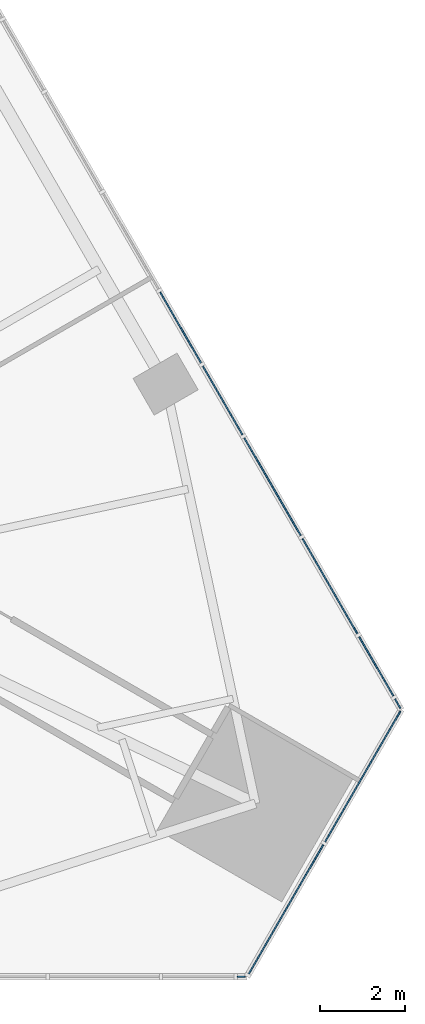
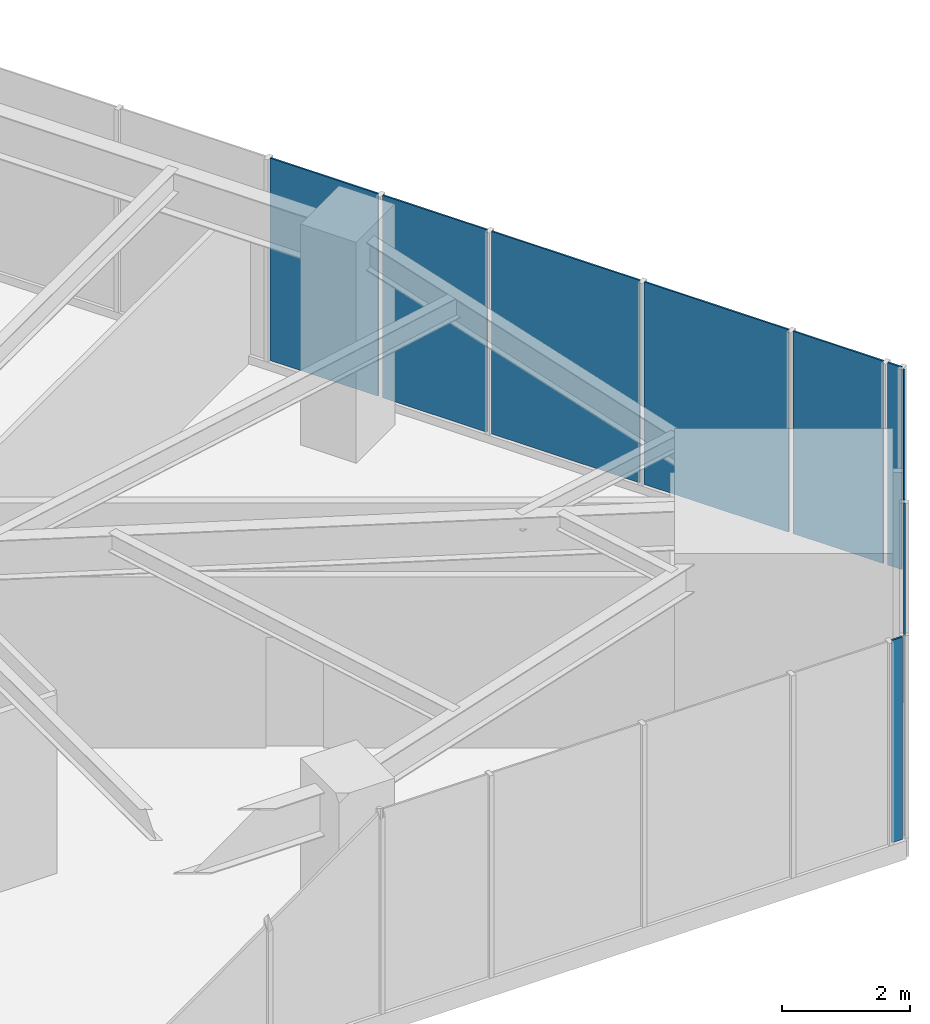
# One storey, part 13 of 21: 9 plates, 3 elements without a shape of their own.
"""IFC4 building model written with IfcOpenShell, lengths in metres."""

from ifc_helpers import new_model, si_unit, direction, frame, origin, place, context, subcontext, project, spatial, polyline, outline, extrude, material, layer, layer_set, type_object, element, aggregate, save


model = new_model("IFC4")

# Units and contexts
model_context = context("Model", 3, precision=1e-05, world=origin(), true_north=direction((0.0, 1.0)))
body_context = subcontext(model_context, "Body", "Model", "MODEL_VIEW")
ifc_project = project(units=[si_unit("LENGTHUNIT", "METRE"), si_unit("AREAUNIT", "SQUARE_METRE"), si_unit("VOLUMEUNIT", "CUBIC_METRE"), si_unit("PLANEANGLEUNIT", "RADIAN"), si_unit("MASSUNIT", "GRAM", prefix="KILO")], contexts=[model_context])

# Site, building, storey
site_placement = place(None, origin())
site = spatial("IfcSite", under=ifc_project, at=site_placement, CompositionType="ELEMENT")
building_placement = place(site_placement, origin())
building = spatial("IfcBuilding", under=site, at=building_placement, Name="Firuza Gate Tower and Library", CompositionType="ELEMENT")
storey_placement = place(building_placement, frame((0.0, 0.0, 94.60009765625)))
storey = spatial("IfcBuildingStorey", under=building, at=storey_placement, Name="L21", CompositionType="ELEMENT", Elevation=94.60009765625)

# Curtain wall, plates
ifc_material_1 = material(Name="Aluminium 6063-T6", Category="aluminium")
ifc_layer_1 = layer(ifc_material_1, 0.14990234375)
ifc_layer_set_1 = layer_set([ifc_layer_1], Name="Corner curtain wall, chamfers")
curtain_wall_type_1 = type_object("IfcCurtainWallType", Name="Corner curtain wall, chamfers", PredefinedType="NOTDEFINED", material=ifc_layer_set_1)
placement = place(storey_placement, origin())
curtain_wall_1 = element("IfcCurtainWall", 1, at=placement, inside=storey, type_object=curtain_wall_type_1, Name="CW4 L21 SE corner", PredefinedType="NOTDEFINED")
ifc_material_2 = material(Name="Fritted glass", Category="glass")
ifc_layer_2 = layer(ifc_material_2, 0.030029296875)
ifc_layer_set_2 = layer_set([ifc_layer_2], Name="Fritted glass unit, corners")
plate_type_1 = type_object("IfcPlateType", Name="Fritted glass unit, corners", PredefinedType="CURTAIN_PANEL", material=ifc_layer_set_2)
plate_1_placement = place(storey_placement, frame((103.286376953125, 54.508056640625, 0.14990234375), z_axis=(0.866016723041, -0.500015035186, 0.0), x_axis=(0.500015035186, 0.866016723041, 0.0)))
plate_1 = element("IfcPlate", 2, at=plate_1_placement, type_object=plate_type_1, Name="Glass unit", PredefinedType="CURTAIN_PANEL", context=body_context, shape_type="SweptSolid", body=[
    extrude(outline(polyline([(0.0, 0.0), (3.5633694106530625, 0.0), (3.5633694106530625, 3.85009765625), (0.0, 3.85009765625), (0.0, 0.0)])), origin(), (0.0, 0.0, -1.0), 0.030029296875),
])
plate_2_placement = place(storey_placement, frame((105.108154296875, 57.663330078125, 0.14990234375), z_axis=(0.866046390552, -0.49996364809, 0.0), x_axis=(0.49996364809, 0.866046390552, 0.0)))
plate_2 = element("IfcPlate", 3, at=plate_2_placement, type_object=plate_type_1, Name="Glass unit", PredefinedType="CURTAIN_PANEL", context=body_context, shape_type="SweptSolid", body=[
    extrude(outline(polyline([(0.0, 0.0), (3.563247342942594, 0.0), (3.563247342942594, 3.85009765625), (0.0, 3.85009765625), (0.0, 0.0)])), origin(), (0.0, 0.0, -1.0), 0.030029296875),
])
aggregate(curtain_wall_1, [plate_1, plate_2])

ifc_material_3 = material(Name="Aluminium 6063-T6", Category="aluminium")
ifc_layer_3 = layer(ifc_material_3, 0.14990234375)
ifc_layer_set_3 = layer_set([ifc_layer_3], Name="Unitised curtain wall, offices")
curtain_wall_type_2 = type_object("IfcCurtainWallType", Name="Unitised curtain wall, offices", PredefinedType="NOTDEFINED", material=ifc_layer_set_3)
curtain_wall_2 = element("IfcCurtainWall", 4, at=placement, inside=storey, type_object=curtain_wall_type_2, Name="CW1 L21 E face", PredefinedType="NOTDEFINED")
ifc_material_4 = material(Name="Fritted glass", Category="glass")
ifc_layer_4 = layer(ifc_material_4, 0.030029296875)
ifc_layer_set_4 = layer_set([ifc_layer_4], Name="Fritted glass unit, offices")
plate_type_2 = type_object("IfcPlateType", Name="Fritted glass unit, offices", PredefinedType="CURTAIN_PANEL", material=ifc_layer_set_4)
plate_3_placement = place(storey_placement, frame((106.72412109375, 61.120361328125, 0.14990234375), z_axis=(0.866037581745, 0.49997890656, 0.0), x_axis=(-0.49997890656, 0.866037581745, 0.0)))
plate_3 = element("IfcPlate", 5, at=plate_3_placement, type_object=plate_type_2, Name="Glass unit", PredefinedType="CURTAIN_PANEL", context=body_context, shape_type="SweptSolid", body=[
    extrude(outline(polyline([(0.0, 0.0), (1.620673839923284, 0.0), (1.620673839923284, 3.85009765625), (0.0, 3.85009765625), (0.0, 0.0)])), origin(), (0.0, 0.0, -1.0), 0.030029296875),
])
plate_4_placement = place(storey_placement, frame((103.16064453125, 67.292236328125, 0.14990234375), z_axis=(0.866012558475, 0.500022248069, 0.0), x_axis=(-0.500022248069, 0.866012558475, 0.0)))
plate_4 = element("IfcPlate", 6, at=plate_4_placement, type_object=plate_type_2, Name="Glass unit", PredefinedType="CURTAIN_PANEL", context=body_context, shape_type="SweptSolid", body=[
    extrude(outline(polyline([(0.0, 0.0), (1.879799168695176, 0.0), (1.879799168695176, 3.85009765625), (0.0, 3.85009765625), (0.0, 0.0)])), origin(), (0.0, 0.0, -1.0), 0.030029296875),
])
plate_5_placement = place(storey_placement, frame((102.180908203125, 68.989501953125, 0.14990234375), z_axis=(0.865977846834, 0.500082362009, 0.0), x_axis=(-0.500082362009, 0.865977846834, 0.0)))
plate_5 = element("IfcPlate", 7, at=plate_5_placement, type_object=plate_type_2, Name="Glass unit", PredefinedType="CURTAIN_PANEL", context=body_context, shape_type="SweptSolid", body=[
    extrude(outline(polyline([(0.0, 0.0), (1.937669100611521, 0.0), (1.937669100611521, 3.85009765625), (0.0, 3.85009765625), (0.0, 0.0)])), origin(), (0.0, 0.0, -1.0), 0.030029296875),
])

# Curtain wall, plate
curtain_wall_3 = element("IfcCurtainWall", 8, at=placement, inside=storey, type_object=curtain_wall_type_2, Name="CW1 L21 S face", PredefinedType="NOTDEFINED")
ifc_material_5 = material(Name="Glazed ceramic tile")
ifc_layer_5 = layer(ifc_material_5, 0.030029296875)
ifc_layer_set_5 = layer_set([ifc_layer_5], Name="Opaque ceramic panel, offices")
plate_type_3 = type_object("IfcPlateType", Name="Opaque ceramic panel, offices", PredefinedType="CURTAIN_PANEL", material=ifc_layer_set_5)
plate_6_placement = place(storey_placement, frame((103.02734375, 54.466064453125, 0.14990234375), z_axis=(0.0, -1.0, 0.0), x_axis=(1.0, 0.0, 0.0)))
plate_6 = element("IfcPlate", 9, at=plate_6_placement, type_object=plate_type_3, Name="Opaque ceramic panel", PredefinedType="CURTAIN_PANEL", context=body_context, shape_type="SweptSolid", body=[
    extrude(outline(polyline([(0.0, 0.0), (0.18603515625, 0.0), (0.18603515625, 3.85009765625), (0.0, 3.85009765625), (0.0, 0.0)])), origin(), (0.0, 0.0, -1.0), 0.030029296875),
])
aggregate(curtain_wall_3, [plate_6])

# Plate
plate_7_placement = place(storey_placement, frame((106.8896484375, 60.83349609375, 0.14990234375), z_axis=(0.866201770413, 0.499694399542, 0.0), x_axis=(-0.499694399542, 0.866201770413, 0.0)))
plate_7 = element("IfcPlate", 10, at=plate_7_placement, type_object=plate_type_3, Name="Opaque ceramic panel", PredefinedType="CURTAIN_PANEL", context=body_context, shape_type="SweptSolid", body=[
    extrude(outline(polyline([(0.0, 0.0), (0.25113005341856437, 0.0), (0.25113005341856437, 3.85009765625), (0.0, 3.85009765625), (0.0, 0.0)])), origin(), (0.0, 0.0, -1.0), 0.030029296875),
])

plate_8_placement = place(storey_placement, frame((105.873779296875, 62.59326171875, 0.14990234375), z_axis=(0.866007112766, 0.500031679635, 0.0), x_axis=(-0.500031679635, 0.866007112766, 0.0)))
plate_8 = element("IfcPlate", 11, at=plate_8_placement, type_object=plate_type_3, Name="Opaque ceramic panel", PredefinedType="CURTAIN_PANEL", context=body_context, shape_type="SweptSolid", body=[
    extrude(outline(polyline([(0.0, 0.0), (2.597003424506708, 0.0), (2.597003424506708, 3.85009765625), (0.0, 3.85009765625), (0.0, 0.0)])), origin(), (0.0, 0.0, -1.0), 0.030029296875),
])

plate_9_placement = place(storey_placement, frame((104.53515625, 64.91162109375, 0.14990234375), z_axis=(0.866016491138, 0.500015436839, 0.0), x_axis=(-0.500015436839, 0.866016491138, 0.0)))
plate_9 = element("IfcPlate", 12, at=plate_9_placement, type_object=plate_type_3, Name="Opaque ceramic panel", PredefinedType="CURTAIN_PANEL", context=body_context, shape_type="SweptSolid", body=[
    extrude(outline(polyline([(0.0, 0.0), (2.668862914883776, 0.0), (2.668862914883776, 3.85009765625), (0.0, 3.85009765625), (0.0, 0.0)])), origin(), (0.0, 0.0, -1.0), 0.030029296875),
])

aggregate(curtain_wall_2, [plate_7, plate_3, plate_8, plate_9, plate_4, plate_5])

save(model, "model.ifc")
